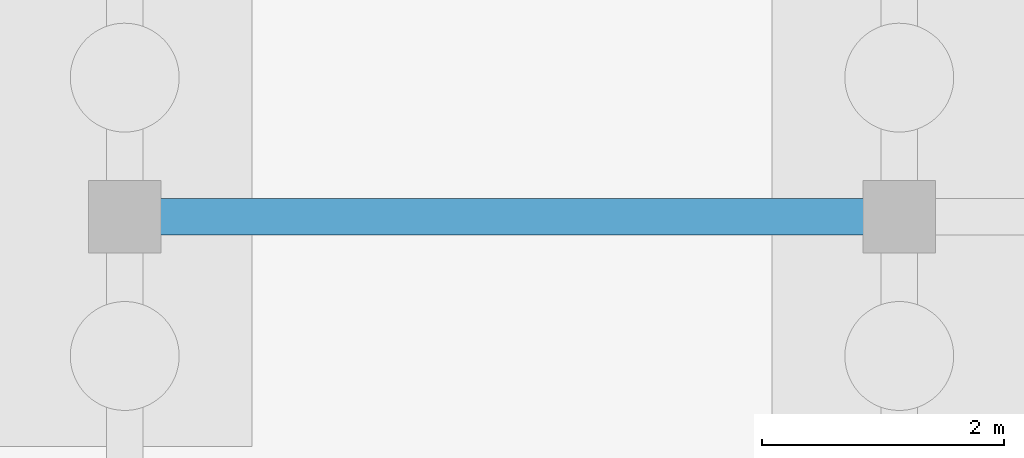
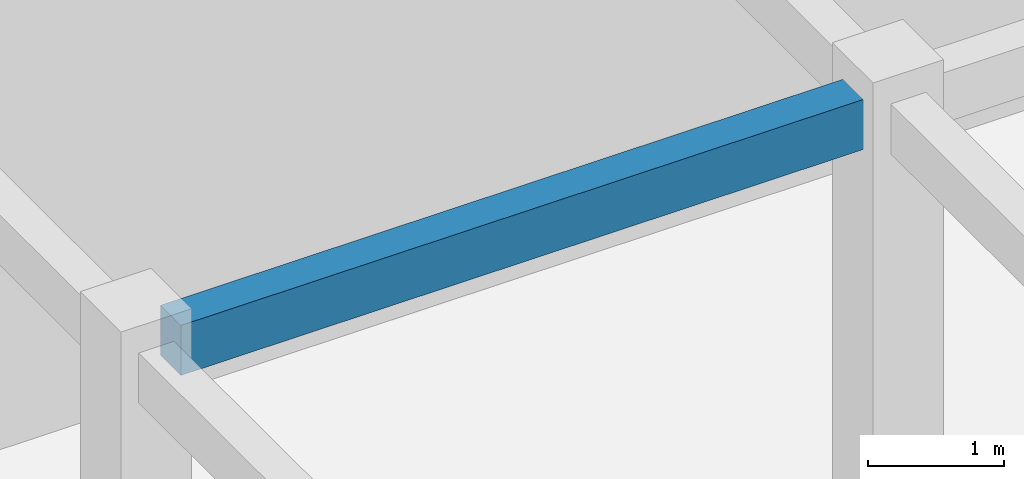
# One storey, part 79 of 192: 1 beam.
"""IFC4 building model written with IfcOpenShell, lengths in metres."""

from ifc_helpers import new_model, si_unit, direction, frame, origin, origin_2d, place, context, subcontext, project, spatial, rectangle, extrude, material, material_profile, profile_set, type_object, element, save


model = new_model("IFC4")

# Units and contexts
model_context = context("Model", 3, precision=1e-05, world=origin(), true_north=direction((0.0, 1.0)))
body_context = subcontext(model_context, "Body", "Model", "MODEL_VIEW")
ifc_project = project(units=[si_unit("LENGTHUNIT", "METRE"), si_unit("AREAUNIT", "SQUARE_METRE"), si_unit("VOLUMEUNIT", "CUBIC_METRE"), si_unit("PLANEANGLEUNIT", "RADIAN"), si_unit("MASSUNIT", "GRAM", prefix="KILO")], contexts=[model_context])

# Site, building, storey
site_placement = place(None, origin())
site = spatial("IfcSite", under=ifc_project, at=site_placement, CompositionType="ELEMENT")
building_placement = place(site_placement, origin())
building = spatial("IfcBuilding", under=site, at=building_placement, Name="Trelvath General Hospital", CompositionType="ELEMENT")
storey_placement = place(building_placement, origin())
storey = spatial("IfcBuildingStorey", under=building, at=storey_placement, Name="L00", CompositionType="ELEMENT", Elevation=0.0)

# Beam
ifc_material = material(Name="Concrete C35/45", Category="concrete")
ifc_material_profile = material_profile(ifc_material, rectangle(XDim=0.300048828125, YDim=0.449951171875, at=origin_2d()), Name="RCB300x450")
ifc_profile_set = profile_set([ifc_material_profile], Name="Concrete C35/45")
beam_type = type_object("IfcBeamType", Name="Beam RC300x450", PredefinedType="BEAM", material=ifc_profile_set)
beam_placement = place(storey_placement, frame((107.49609375, 58.800048828125, 4.3349609375), z_axis=(1.0, 0.0, 0.0), x_axis=(0.0, 1.0, 0.0)))
element("IfcBeam", 1, at=beam_placement, inside=storey, type_object=beam_type, Name="Cube Interior Ring Beam CUBE-E-T0 L00", PredefinedType="BEAM", context=body_context, shape_type="SweptSolid", body=[
    extrude(rectangle(XDim=0.300048828125, YDim=0.449951171875, at=origin_2d()), origin(), (0.0, 0.0, 1.0), 5.807861328125),
])

save(model, "model.ifc")
